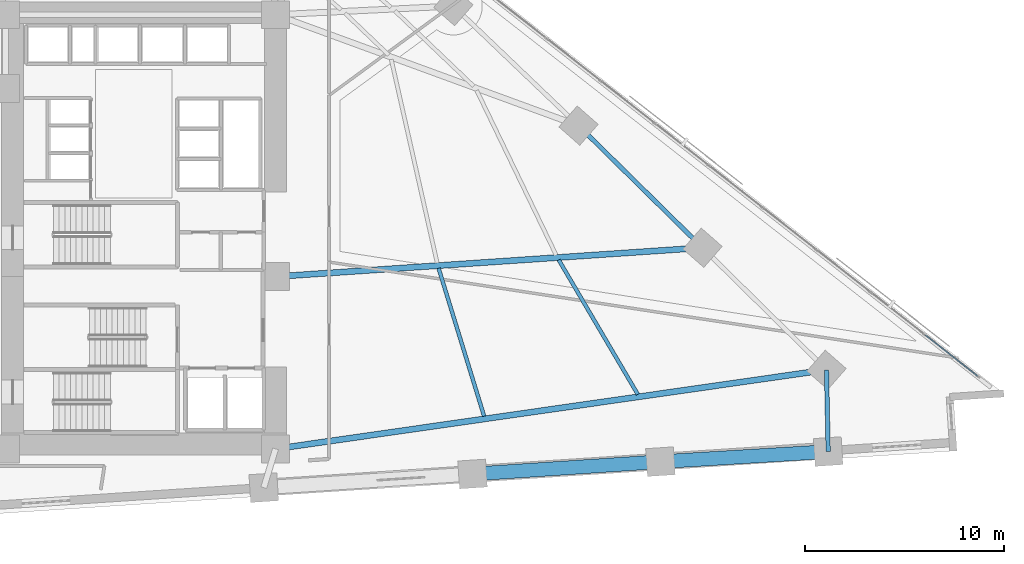
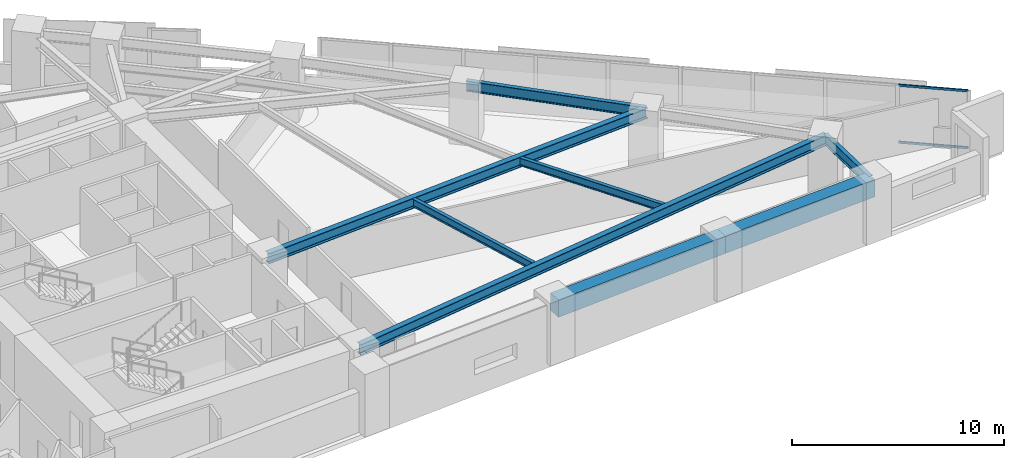
# One storey, part 3 of 16: 8 beams, 2 members, 1 element without a shape of its own.
"""IFC4 building model written with IfcOpenShell, lengths in metres."""

from ifc_helpers import new_model, si_unit, direction, frame, origin, origin_2d, place, context, subcontext, project, spatial, rectangle, hollow_rectangle, i_section, extrude, material, material_profile, profile_set, type_object, element, aggregate, save


model = new_model("IFC4")

# Units and contexts
model_context = context("Model", 3, precision=1e-05, world=origin(), true_north=direction((0.0, 1.0)))
body_context = subcontext(model_context, "Body", "Model", "MODEL_VIEW")
ifc_project = project(units=[si_unit("LENGTHUNIT", "METRE"), si_unit("AREAUNIT", "SQUARE_METRE"), si_unit("VOLUMEUNIT", "CUBIC_METRE"), si_unit("PLANEANGLEUNIT", "RADIAN"), si_unit("MASSUNIT", "GRAM", prefix="KILO")], contexts=[model_context])

# Site, building, storey
site_placement = place(None, origin())
site = spatial("IfcSite", under=ifc_project, at=site_placement, CompositionType="ELEMENT")
building_placement = place(site_placement, origin())
building = spatial("IfcBuilding", under=site, at=building_placement, Name="Narakoshi Arena Tower", CompositionType="ELEMENT")
storey_placement = place(building_placement, frame((0.0, 0.0, 88.5)))
storey = spatial("IfcBuildingStorey", under=building, at=storey_placement, Name="L23", CompositionType="ELEMENT", Elevation=88.5)

# Beams
ifc_material_1 = material(Name="Concrete C60/75", Category="concrete")
ifc_material_profile_1 = material_profile(ifc_material_1, rectangle(XDim=0.699951171875, YDim=1.0, at=origin_2d()), Name="RCB700x1000")
ifc_profile_set_1 = profile_set([ifc_material_profile_1], Name="Concrete C60/75")
beam_type_1 = type_object("IfcBeamType", Name="BM-CPL-1000", PredefinedType="BEAM", material=ifc_profile_set_1)
beam_1_placement = place(storey_placement, frame((95.44189453125, 33.43798828125, 2.840087890625), z_axis=(0.997857667494, 0.065422285367, 0.0), x_axis=(-0.065422285367, 0.997857667494, 0.0)))
element("IfcBeam", 1, at=beam_1_placement, inside=storey, type_object=beam_type_1, Name="L23 Perimeter Edge Girder 02", PredefinedType="BEAM", context=body_context, shape_type="SweptSolid", body=[
    extrude(rectangle(XDim=0.699951171875, YDim=1.0, at=origin_2d()), origin(), (0.0, 0.0, 1.0), 9.456298828125),
])
beam_2_placement = place(storey_placement, frame((104.8779296875, 34.056640625, 2.840087890625), z_axis=(0.998193929855, 0.060073941104, 0.0), x_axis=(-0.060073941104, 0.998193929855, 0.0)))
element("IfcBeam", 2, at=beam_2_placement, inside=storey, type_object=beam_type_1, Name="L23 Perimeter Edge Girder 03", PredefinedType="BEAM", context=body_context, shape_type="SweptSolid", body=[
    extrude(rectangle(XDim=0.699951171875, YDim=1.0, at=origin_2d()), origin(), (0.0, 0.0, 1.0), 8.436767578125),
])
ifc_material_2 = material(Name="Structural steel S355J2", Category="steel")
ifc_material_profile_2 = material_profile(ifc_material_2, i_section(OverallWidth=0.219970703125, OverallDepth=0.60009765625, WebThickness=0.011962890625, FlangeThickness=0.01904296875, FilletRadius=0.02392578125, at=origin_2d()), Name="IPE600")
ifc_profile_set_2 = profile_set([ifc_material_profile_2], Name="Structural steel S355J2")
beam_type_2 = type_object("IfcBeamType", Name="BM-EDGE-600", PredefinedType="BEAM", material=ifc_profile_set_2)
beam_3_placement = place(storey_placement, frame((113.299560546875, 34.5634765625, 3.0400390625), z_axis=(-0.020272933264, 0.99979448297, 0.0), x_axis=(-0.99979448297, -0.020272933264, 0.0)))
element("IfcBeam", 3, at=beam_3_placement, inside=storey, type_object=beam_type_2, Name="L23 Perimeter Edge Girder 04", PredefinedType="BEAM", context=body_context, shape_type="SweptSolid", body=[
    extrude(i_section(OverallWidth=0.219970703125, OverallDepth=0.60009765625, WebThickness=0.011962890625, FlangeThickness=0.01904296875, FilletRadius=0.02392578125, at=origin_2d()), origin(), (0.0, 0.0, 1.0), 4.1064453125),
])
beam_4_placement = place(storey_placement, frame((106.989990234375, 44.800537109375, 3.0400390625), z_axis=(-0.71256144736, 0.701609708981, 0.0), x_axis=(-0.701609708981, -0.71256144736, 0.0)))
element("IfcBeam", 4, at=beam_4_placement, inside=storey, type_object=beam_type_2, Name="L23 Perimeter Edge Girder 06", PredefinedType="BEAM", context=body_context, shape_type="SweptSolid", body=[
    extrude(i_section(OverallWidth=0.219970703125, OverallDepth=0.60009765625, WebThickness=0.011962890625, FlangeThickness=0.01904296875, FilletRadius=0.02392578125, at=origin_2d()), origin(), (0.0, 0.0, 1.0), 8.738525390625),
])
ifc_material_profile_3 = material_profile(ifc_material_2, i_section(OverallWidth=0.300048828125, OverallDepth=0.60009765625, WebThickness=0.015380859375, FlangeThickness=0.030029296875, FilletRadius=0.027099609375, at=origin_2d()), Name="HE600B")
ifc_profile_set_3 = profile_set([ifc_material_profile_3], Name="Structural steel S355J2")
beam_type_3 = type_object("IfcBeamType", Name="BM-PRI-600", PredefinedType="BEAM", material=ifc_profile_set_3)
beam_5_placement = place(storey_placement, frame((85.550048828125, 34.699951171875, 3.0400390625), z_axis=(0.989864586002, 0.142014440741, 0.0), x_axis=(-0.142014440741, 0.989864586002, 0.0)))
element("IfcBeam", 5, at=beam_5_placement, inside=storey, type_object=beam_type_3, Name="L23 Radial Primary Floor Girder 05", PredefinedType="BEAM", context=body_context, shape_type="SweptSolid", body=[
    extrude(i_section(OverallWidth=0.300048828125, OverallDepth=0.60009765625, WebThickness=0.015380859375, FlangeThickness=0.030029296875, FilletRadius=0.027099609375, at=origin_2d()), origin(), (0.0, 0.0, 1.0), 27.949462890625),
])
beam_6_placement = place(storey_placement, frame((85.550048828125, 43.35009765625, 3.0400390625), z_axis=(0.997719477205, 0.067496998498, 0.0), x_axis=(-0.067496998498, 0.997719477205, 0.0)))
element("IfcBeam", 6, at=beam_6_placement, inside=storey, type_object=beam_type_3, Name="L23 Radial Primary Floor Girder 06", PredefinedType="BEAM", context=body_context, shape_type="SweptSolid", body=[
    extrude(i_section(OverallWidth=0.300048828125, OverallDepth=0.60009765625, WebThickness=0.015380859375, FlangeThickness=0.030029296875, FilletRadius=0.027099609375, at=origin_2d()), origin(), (0.0, 0.0, 1.0), 21.489013671875),
])
ifc_material_profile_4 = material_profile(ifc_material_2, i_section(OverallWidth=0.18994140625, OverallDepth=0.449951171875, WebThickness=0.009521484375, FlangeThickness=0.0146484375, FilletRadius=0.02099609375, at=origin_2d()), Name="IPE450")
ifc_profile_set_4 = profile_set([ifc_material_profile_4], Name="Structural steel S355J2")
beam_type_4 = type_object("IfcBeamType", Name="BM-SEC-450", PredefinedType="JOIST", material=ifc_profile_set_4)
beam_7_placement = place(storey_placement, frame((96.0234375, 36.33740234375, 3.114990234375), z_axis=(-0.293966747192, 0.955815647259, 0.0), x_axis=(-0.955815647259, -0.293966747192, 0.0)))
element("IfcBeam", 7, at=beam_7_placement, inside=storey, type_object=beam_type_4, Name="L23 Composite Secondary Floor Joist 01", PredefinedType="JOIST", context=body_context, shape_type="SweptSolid", body=[
    extrude(i_section(OverallWidth=0.18994140625, OverallDepth=0.449951171875, WebThickness=0.009521484375, FlangeThickness=0.0146484375, FilletRadius=0.02099609375, at=origin_2d()), origin(), (0.0, 0.0, 1.0), 7.778564453125),
])
beam_8_placement = place(storey_placement, frame((103.741455078125, 37.43603515625, 3.114990234375), z_axis=(-0.50694388047, 0.861979061262, 0.0), x_axis=(-0.861979061262, -0.50694388047, 0.0)))
element("IfcBeam", 8, at=beam_8_placement, inside=storey, type_object=beam_type_4, Name="L23 Composite Secondary Floor Joist 02", PredefinedType="JOIST", context=body_context, shape_type="SweptSolid", body=[
    extrude(i_section(OverallWidth=0.18994140625, OverallDepth=0.449951171875, WebThickness=0.009521484375, FlangeThickness=0.0146484375, FilletRadius=0.02099609375, at=origin_2d()), origin(), (0.0, 0.0, 1.0), 7.83642578125),
])

# Curtain wall, members
ifc_material_3 = material(Name="Anodised bronze aluminium 6063-T6", Category="aluminium")
curtain_wall_type = type_object("IfcCurtainWallType", Name="CW-HYP-LOW", PredefinedType="NOTDEFINED", material=ifc_material_3)
curtain_wall_placement = place(storey_placement, origin())
curtain_wall = element("IfcCurtainWall", 9, at=curtain_wall_placement, inside=storey, type_object=curtain_wall_type, Name="L23 Folded Hypotenuse Curtain Wall 1-1", PredefinedType="NOTDEFINED")
ifc_material_profile_5 = material_profile(ifc_material_3, hollow_rectangle(XDim=0.06494140625, YDim=0.1298828125, WallThickness=0.00390625, OuterFilletRadius=0.0048828125, at=origin_2d()), Name="TRN130x65x4")
ifc_profile_set_5 = profile_set([ifc_material_profile_5], Name="Anodised bronze aluminium 6063-T6")
member_type = type_object("IfcMemberType", Name="MEM-TRN-130", PredefinedType="USERDEFINED", material=ifc_profile_set_5)
member_1_placement = place(storey_placement, frame((120.802978515625, 38.359130859375, 0.032470703125), z_axis=(-0.787347227026, 0.616509808596, 0.0), x_axis=(-0.616509808596, -0.787347227026, 0.0)))
member_1 = element("IfcMember", 10, at=member_1_placement, type_object=member_type, Name="CW-01 transom 1.1", ObjectType="TRANSOM", PredefinedType="USERDEFINED", context=body_context, shape_type="SweptSolid", body=[
    extrude(hollow_rectangle(XDim=0.06494140625, YDim=0.1298828125, WallThickness=0.00390625, OuterFilletRadius=0.0048828125, at=origin_2d()), origin(), (0.0, 0.0, 1.0), 3.331298828125),
])
member_2_placement = place(storey_placement, frame((120.802978515625, 38.359130859375, 3.3076171875), z_axis=(-0.787347227026, 0.616509808596, 0.0), x_axis=(-0.616509808596, -0.787347227026, 0.0)))
member_2 = element("IfcMember", 11, at=member_2_placement, type_object=member_type, Name="CW-01 transom 1.2", ObjectType="TRANSOM", PredefinedType="USERDEFINED", context=body_context, shape_type="SweptSolid", body=[
    extrude(hollow_rectangle(XDim=0.06494140625, YDim=0.1298828125, WallThickness=0.00390625, OuterFilletRadius=0.0048828125, at=origin_2d()), origin(), (0.0, 0.0, 1.0), 3.331298828125),
])
aggregate(curtain_wall, [member_1, member_2])

save(model, "model.ifc")
